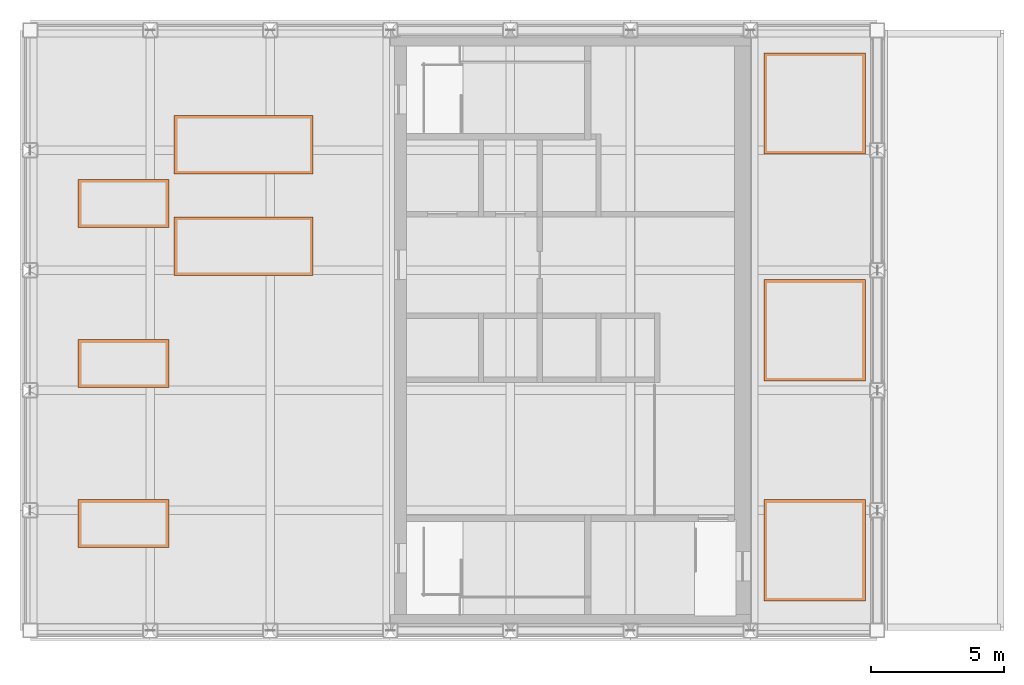
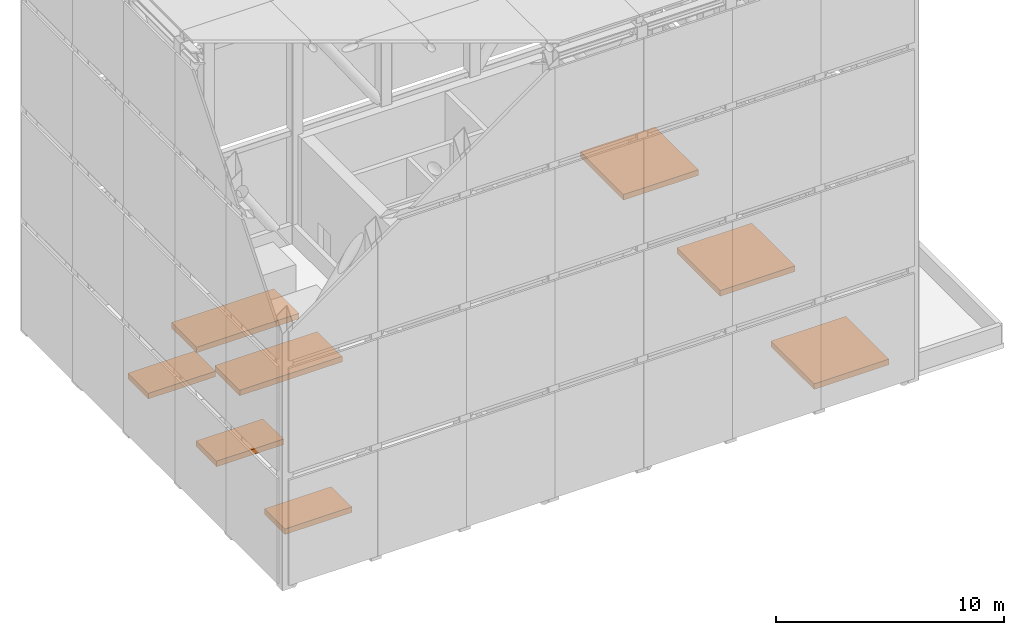
# One storey, part 11 of 11: 8 proxies.
"""IFC4 building model written with IfcOpenShell, lengths in metres."""

from ifc_helpers import new_model, si_unit, direction, frame, origin, origin_2d, place, context, subcontext, project, spatial, rectangle, extrude, material, type_object, element, save


model = new_model("IFC4")

# Units and contexts
model_context = context("Model", 3, precision=1e-05, world=origin(), true_north=direction((0.0, 1.0)))
body_context = subcontext(model_context, "Body", "Model", "MODEL_VIEW")
ifc_project = project(units=[si_unit("LENGTHUNIT", "METRE"), si_unit("AREAUNIT", "SQUARE_METRE"), si_unit("VOLUMEUNIT", "CUBIC_METRE"), si_unit("PLANEANGLEUNIT", "RADIAN"), si_unit("MASSUNIT", "GRAM", prefix="KILO")], contexts=[model_context])

# Site, building, storey
site_placement = place(None, origin())
site = spatial("IfcSite", under=ifc_project, at=site_placement, CompositionType="ELEMENT")
building_placement = place(site_placement, origin())
building = spatial("IfcBuilding", under=site, at=building_placement, Name="Sennacour Bend Tower", CompositionType="ELEMENT")
storey_placement = place(building_placement, frame((0.0, 0.0, 355.5)))
storey = spatial("IfcBuildingStorey", under=building, at=storey_placement, Name="RF", CompositionType="ELEMENT", Elevation=355.5)

# Proxies
ifc_material = material(Name="Concrete C40/50", Category="concrete")
building_element_proxy_type_1 = type_object("IfcBuildingElementProxyType", Name="PLANT PLINTH 3400X1800", PredefinedType="USERDEFINED", material=ifc_material)
for number, where, z_axis, x_axis, name in (
    (1, (44.0, 4.0, 0.0), (0.0, 0.0, 1.0), (1.0, 0.0, 0.0), "Plant plinth"),
    (2, (44.0, 10.0, 0.0), (0.0, 0.0, 1.0), (1.0, 0.0, 0.0), "Plant plinth"),
    (3, (44.0, 16.0, 0.0), (0.0, 0.0, 1.0), (1.0, 0.0, 0.0), "Plant plinth"),
):
    element("IfcBuildingElementProxy", number, at=place(storey_placement, frame(where, z_axis=z_axis, x_axis=x_axis)), inside=storey, type_object=building_element_proxy_type_1, Name=name, ObjectType="PLINTH", PredefinedType="USERDEFINED", context=body_context, shape_type="SweptSolid", body=[
        extrude(rectangle(XDim=3.39990234375, YDim=1.800048828125, at=origin_2d()), origin(), (0.0, 0.0, 1.0), 0.300048828125),
    ])
building_element_proxy_type_2 = type_object("IfcBuildingElementProxyType", Name="PLANT PLINTH 3800X3800", PredefinedType="USERDEFINED", material=ifc_material)
for number, where, z_axis, x_axis, name in (
    (4, (69.89990234375, 3.0, 0.0), (0.0, 0.0, 1.0), (1.0, 0.0, 0.0), "Plant plinth"),
    (5, (69.89990234375, 11.25, 0.0), (0.0, 0.0, 1.0), (1.0, 0.0, 0.0), "Plant plinth"),
    (6, (69.89990234375, 19.75, 0.0), (0.0, 0.0, 1.0), (1.0, 0.0, 0.0), "Plant plinth"),
):
    element("IfcBuildingElementProxy", number, at=place(storey_placement, frame(where, z_axis=z_axis, x_axis=x_axis)), inside=storey, type_object=building_element_proxy_type_2, Name=name, ObjectType="PLINTH", PredefinedType="USERDEFINED", context=body_context, shape_type="SweptSolid", body=[
        extrude(rectangle(XDim=3.800048828125, YDim=3.800048828125, at=origin_2d()), origin(), (0.0, 0.0, 1.0), 0.300048828125),
    ])
building_element_proxy_type_3 = type_object("IfcBuildingElementProxyType", Name="PLANT PLINTH 5200X2200", PredefinedType="USERDEFINED", material=ifc_material)
for number, where, z_axis, x_axis, name in (
    (7, (48.5, 18.199951171875, 0.0), (0.0, 0.0, 1.0), (1.0, 0.0, 0.0), "Plant plinth"),
    (8, (48.5, 14.39990234375, 0.0), (0.0, 0.0, 1.0), (1.0, 0.0, 0.0), "Plant plinth"),
):
    element("IfcBuildingElementProxy", number, at=place(storey_placement, frame(where, z_axis=z_axis, x_axis=x_axis)), inside=storey, type_object=building_element_proxy_type_3, Name=name, ObjectType="PLINTH", PredefinedType="USERDEFINED", context=body_context, shape_type="SweptSolid", body=[
        extrude(rectangle(XDim=5.199951171875, YDim=2.199951171875, at=origin_2d()), origin(), (0.0, 0.0, 1.0), 0.300048828125),
    ])

save(model, "model.ifc")
